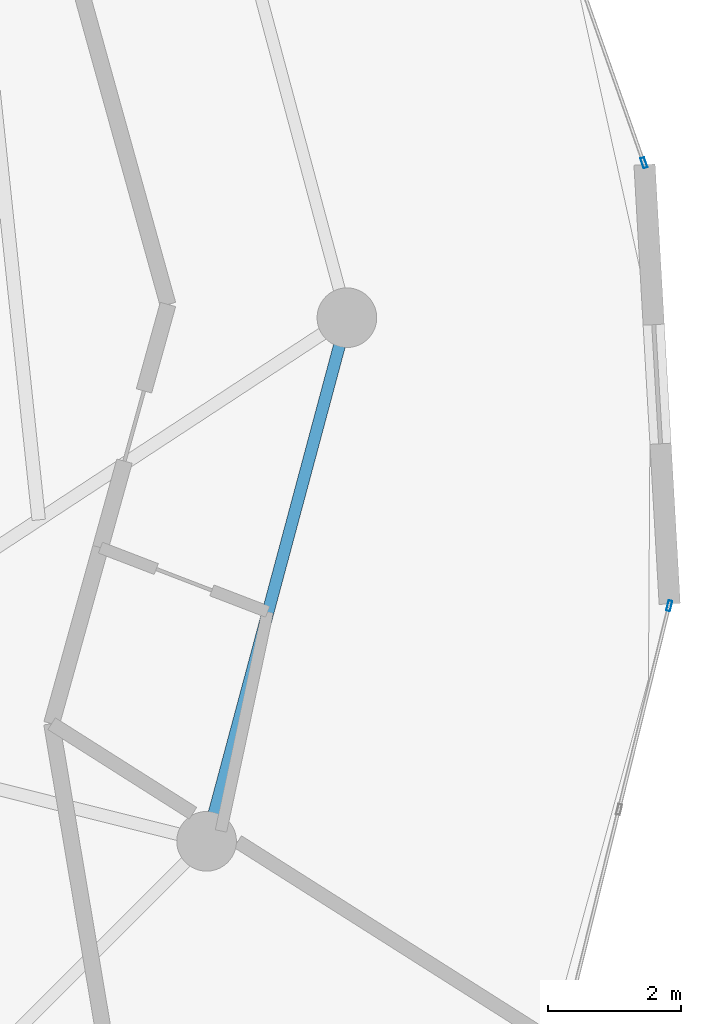
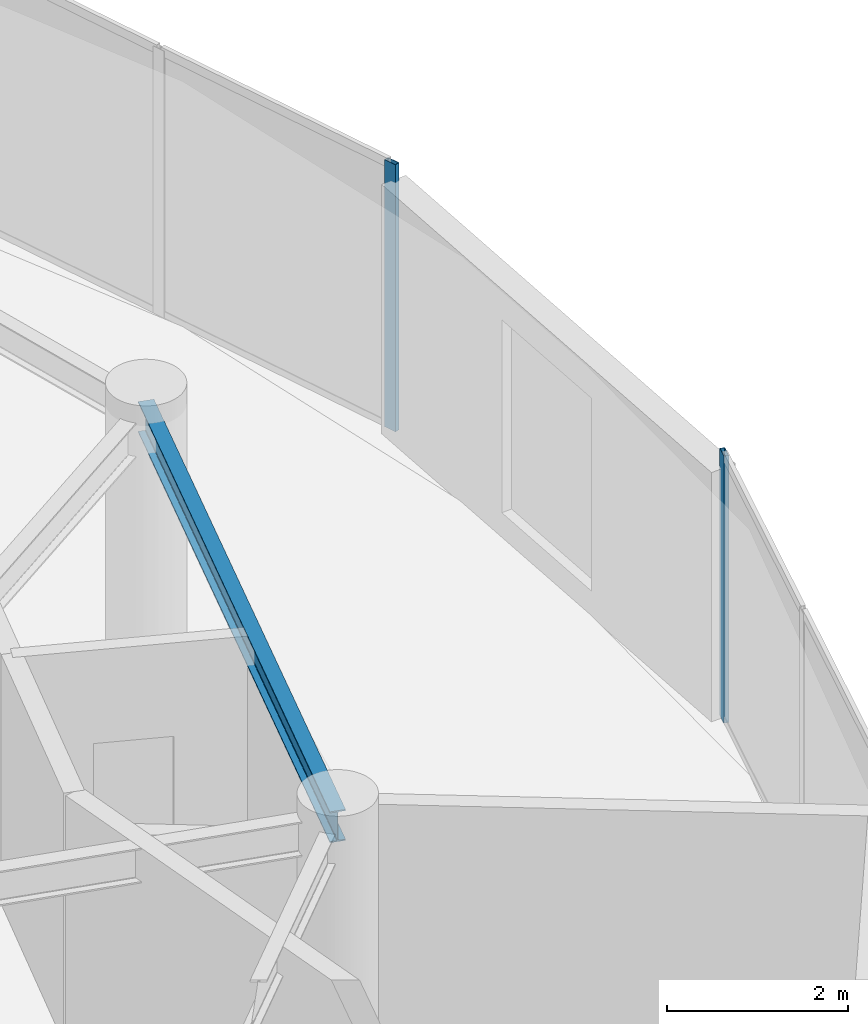
# One storey, part 9 of 18: 2 members, 1 beam, 2 elements without a shape of their own.
"""IFC4 building model written with IfcOpenShell, lengths in metres."""

from ifc_helpers import new_model, si_unit, direction, frame, origin, origin_2d, place, context, subcontext, project, spatial, hollow_rectangle, i_section, extrude, source, transform, mapped, material, layer, layer_set, material_profile, profile_set, type_object, element, aggregate, save


model = new_model("IFC4")

# Units and contexts
model_context = context("Model", 3, precision=1e-05, world=origin(), true_north=direction((0.0, 1.0)))
body_context = subcontext(model_context, "Body", "Model", "MODEL_VIEW")
ifc_project = project(units=[si_unit("LENGTHUNIT", "METRE"), si_unit("AREAUNIT", "SQUARE_METRE"), si_unit("VOLUMEUNIT", "CUBIC_METRE"), si_unit("PLANEANGLEUNIT", "RADIAN"), si_unit("MASSUNIT", "GRAM", prefix="KILO")], contexts=[model_context])

# Site, building, storey
site_placement = place(None, origin())
site = spatial("IfcSite", under=ifc_project, at=site_placement, CompositionType="ELEMENT")
building_placement = place(site_placement, origin())
building = spatial("IfcBuilding", under=site, at=building_placement, Name="Solvirekh Grand Hotel", CompositionType="ELEMENT")
storey_placement = place(building_placement, frame((0.0, 0.0, 198.39990234375)))
storey = spatial("IfcBuildingStorey", under=building, at=storey_placement, Name="L51", CompositionType="ELEMENT", Elevation=198.39990234375)

# Beam
ifc_material_1 = material(Name="Steel S355", Category="steel")
ifc_material_profile_1 = material_profile(ifc_material_1, i_section(OverallWidth=0.180908203125, OverallDepth=0.4169921875, WebThickness=0.010009765625, FlangeThickness=0.01611328125, FilletRadius=0.011962890625, at=origin_2d()), Name="W410X85")
ifc_profile_set_1 = profile_set([ifc_material_profile_1], Name="Steel S355")
beam_type = type_object("IfcBeamType", Name="Spandrel_Ring_W410", PredefinedType="SPANDREL", material=ifc_profile_set_1)
beam_placement = place(storey_placement, frame((13.68310546875, -7.89990234375, 3.152099609375), z_axis=(0.258838541915, 0.965920601923, 0.0), x_axis=(-0.965920601923, 0.258838541915, 0.0)))
element("IfcBeam", 1, at=beam_placement, inside=storey, type_object=beam_type, Name="L51 perimeter spandrel beam 12", PredefinedType="SPANDREL", context=body_context, shape_type="SweptSolid", body=[
    extrude(i_section(OverallWidth=0.180908203125, OverallDepth=0.4169921875, WebThickness=0.010009765625, FlangeThickness=0.01611328125, FilletRadius=0.011962890625, at=origin_2d()), origin(), (0.0, 0.0, 1.0), 8.1787109375),
])

# Curtain wall, member
ifc_material_2 = material(Name="Anodized Bronze Aluminium 6063-T6", Category="aluminium")
ifc_layer = layer(ifc_material_2, 0.159912109375)
ifc_layer_set = layer_set([ifc_layer], Name="Anodized Bronze Aluminium 6063-T6")
curtain_wall_type = type_object("IfcCurtainWallType", Name="CW_Sys4_HighZoneFlushBronzeCW", PredefinedType="NOTDEFINED", material=ifc_layer_set)
curtain_wall_1_placement = place(storey_placement, origin())
curtain_wall_1 = element("IfcCurtainWall", 2, at=curtain_wall_1_placement, inside=storey, type_object=curtain_wall_type, Name="L51 unitised bronze-glass curtain wall CW-L51-C03", PredefinedType="NOTDEFINED")
ifc_material_profile_2 = material_profile(ifc_material_2, hollow_rectangle(XDim=0.06005859375, YDim=0.159912109375, WallThickness=0.0048828125, at=origin_2d()), Name="ALU RHS 160X60X5")
ifc_profile_set_2 = profile_set([ifc_material_profile_2], Name="Anodized Bronze Aluminium 6063-T6")
member_type = type_object("IfcMemberType", Name="CWMullion_Sys4", PredefinedType="MULLION", material=ifc_profile_set_2)
shared_shape = source(origin(), body_context, "Body", "SweptSolid", [
    extrude(hollow_rectangle(XDim=0.06005859375, YDim=0.159912109375, WallThickness=0.0048828125, at=origin_2d()), origin(), (0.0, 0.0, 1.0), 3.60009765625),
])
member_1_placement = place(storey_placement, frame((20.663818359375, -4.34619140625, 0.0), z_axis=(0.0, 0.0, 1.0), x_axis=(-0.970901876855, 0.239477651398, 0.0)))
member_1 = element("IfcMember", 3, at=member_1_placement, type_object=member_type, Name="U04 mullion 3", PredefinedType="MULLION", context=body_context, shape_type="MappedRepresentation", body=[
    mapped(shared_shape, transform((0.0, 0.0, 0.0), x_axis=(1.0, 0.0, 0.0), y_axis=(0.0, 1.0, 0.0), z_axis=(0.0, 0.0, 1.0), scale=1.0)),
])
aggregate(curtain_wall_1, [member_1])

curtain_wall_2_placement = place(storey_placement, origin())
curtain_wall_2 = element("IfcCurtainWall", 4, at=curtain_wall_2_placement, inside=storey, type_object=curtain_wall_type, Name="L51 unitised bronze-glass curtain wall CW-L51-C05", PredefinedType="NOTDEFINED")
member_2_placement = place(storey_placement, frame((20.281005859375, 2.33740234375, 0.0), z_axis=(0.0, 0.0, 1.0), x_axis=(-0.943196961636, -0.332234091508, 0.0)))
member_2 = element("IfcMember", 5, at=member_2_placement, type_object=member_type, Name="U04 mullion 1", PredefinedType="MULLION", context=body_context, shape_type="MappedRepresentation", body=[
    mapped(shared_shape, transform((0.0, 0.0, 0.0), x_axis=(1.0, 0.0, 0.0), y_axis=(0.0, 1.0, 0.0), z_axis=(0.0, 0.0, 1.0), scale=1.0)),
])
aggregate(curtain_wall_2, [member_2])

save(model, "model.ifc")
